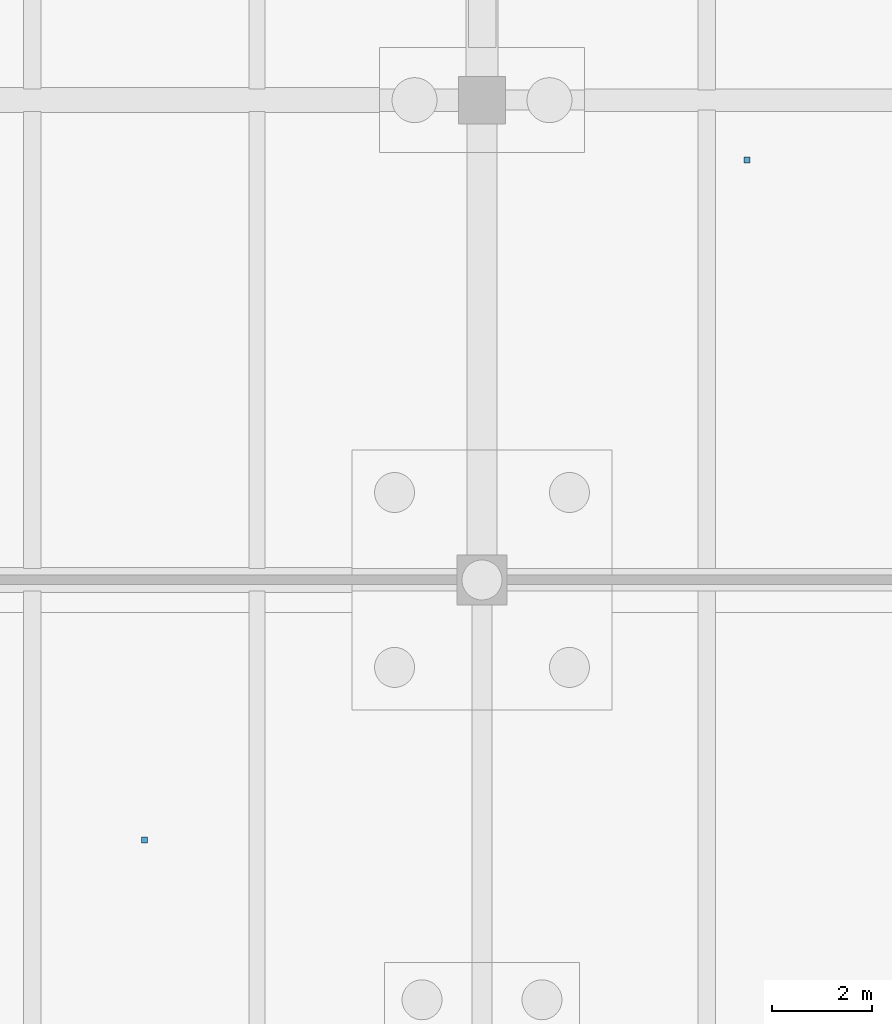
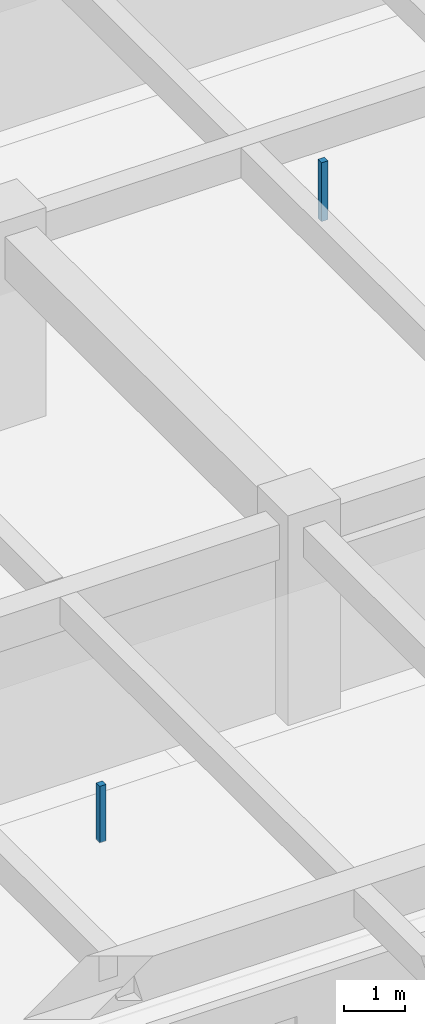
# One storey, part 26 of 41: 2 discrete accessories.
"""IFC4 building model written with IfcOpenShell, lengths in metres."""

from ifc_helpers import new_model, si_unit, direction, frame, origin, origin_2d, place, context, subcontext, project, spatial, rectangle, extrude, material, type_object, element, save


model = new_model("IFC4")

# Units and contexts
model_context = context("Model", 3, precision=1e-05, world=origin(), true_north=direction((0.0, 1.0)))
body_context = subcontext(model_context, "Body", "Model", "MODEL_VIEW")
ifc_project = project(units=[si_unit("LENGTHUNIT", "METRE"), si_unit("AREAUNIT", "SQUARE_METRE"), si_unit("VOLUMEUNIT", "CUBIC_METRE"), si_unit("PLANEANGLEUNIT", "RADIAN"), si_unit("MASSUNIT", "GRAM", prefix="KILO")], contexts=[model_context])

# Site, building, storey
site_placement = place(None, origin())
site = spatial("IfcSite", under=ifc_project, at=site_placement, CompositionType="ELEMENT")
building_placement = place(site_placement, origin())
building = spatial("IfcBuilding", under=site, at=building_placement, Name="Fikremerkos Civic Library", CompositionType="ELEMENT")
storey_placement = place(building_placement, frame((0.0, 0.0, -8.39990234375)))
storey = spatial("IfcBuildingStorey", under=building, at=storey_placement, Name="B02", CompositionType="ELEMENT", Elevation=-8.39990234375)

# Discrete accessories
ifc_material = material(Name="Galvanized Steel S275", Category="steel")
discrete_accessory_type = type_object("IfcDiscreteAccessoryType", Name="Ceiling hanger bracket BRK-01", PredefinedType="BRACKET", material=ifc_material)
discrete_accessory_1_placement = place(storey_placement, frame((79.949951171875, 26.0, 2.75), z_axis=(0.0, 0.0, 1.0), x_axis=(1.0, 0.0, 0.0)))
element("IfcDiscreteAccessory", 1, at=discrete_accessory_1_placement, inside=storey, type_object=discrete_accessory_type, Name="Acoustic ceiling hanger bracket #5", PredefinedType="BRACKET", context=body_context, shape_type="SweptSolid", body=[
    extrude(rectangle(XDim=0.1201171875, YDim=0.1201171875, at=origin_2d()), origin(), (0.0, 0.0, 1.0), 1.1298828125),
])
discrete_accessory_2_placement = place(storey_placement, frame((92.0, 39.60009765625, 2.7197265625), z_axis=(0.0, 0.0, 1.0), x_axis=(1.0, 0.0, 0.0)))
element("IfcDiscreteAccessory", 2, at=discrete_accessory_2_placement, inside=storey, type_object=discrete_accessory_type, Name="Acoustic ceiling hanger bracket #6", PredefinedType="BRACKET", context=body_context, shape_type="SweptSolid", body=[
    extrude(rectangle(XDim=0.1201171875, YDim=0.1201171875, at=origin_2d()), origin(), (0.0, 0.0, 1.0), 1.179931640625),
])

save(model, "model.ifc")
